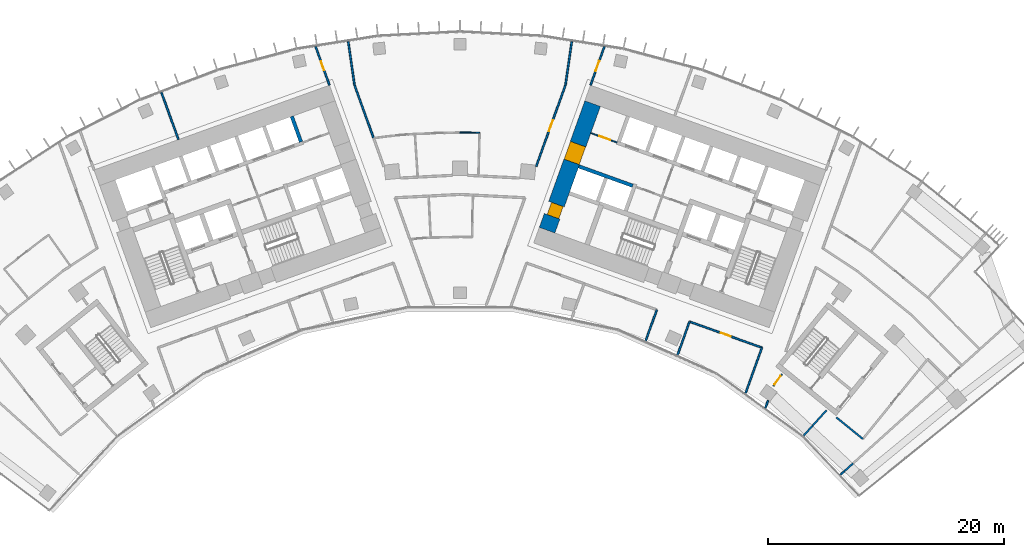
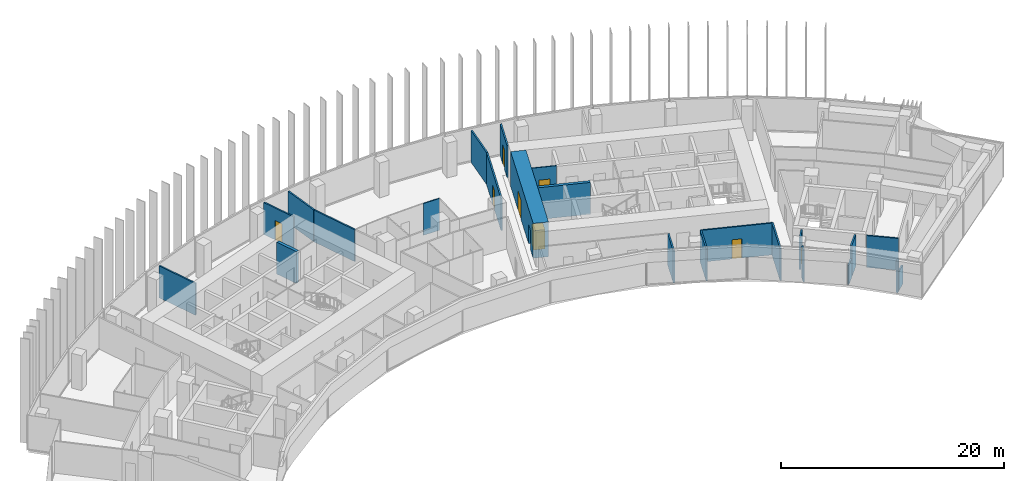
# One storey, part 18 of 23: 23 walls, 8 doors, 8 openings.
"""IFC4 building model written with IfcOpenShell, lengths in metres."""

from ifc_helpers import new_model, si_unit, direction, frame, frame_2d, origin, place, context, subcontext, project, spatial, rectangle, extrude, material, layer, layer_set, type_object, element, fill, save


model = new_model("IFC4")

# Units and contexts
model_context = context("Model", 3, precision=1e-05, world=origin(), true_north=direction((0.0, 1.0)))
body_context = subcontext(model_context, "Body", "Model", "MODEL_VIEW")
ifc_project = project(units=[si_unit("LENGTHUNIT", "METRE"), si_unit("AREAUNIT", "SQUARE_METRE"), si_unit("VOLUMEUNIT", "CUBIC_METRE"), si_unit("PLANEANGLEUNIT", "RADIAN"), si_unit("MASSUNIT", "GRAM", prefix="KILO")], contexts=[model_context])

# Site, building, storey
site_placement = place(None, origin())
site = spatial("IfcSite", under=ifc_project, at=site_placement, CompositionType="ELEMENT")
building_placement = place(site_placement, origin())
building = spatial("IfcBuilding", under=site, at=building_placement, Name="Stone Belt Terrace Tower", CompositionType="ELEMENT")
storey_placement = place(building_placement, frame((0.0, 0.0, 166.800048828125)))
storey = spatial("IfcBuildingStorey", under=building, at=storey_placement, Name="L40", CompositionType="ELEMENT", Elevation=166.800048828125)

# Wall, opening, door
ifc_material_1 = material(Name="Plasterboard partition")
ifc_layer_1 = layer(ifc_material_1, 0.10009765625)
ifc_layer_set_1 = layer_set([ifc_layer_1], Name="Core partition 100")
wall_type_1 = type_object("IfcWallType", Name="Core partition 100", PredefinedType="PARTITIONING", material=ifc_layer_set_1)
wall_1_placement = place(storey_placement, frame((13.29638671875, 57.17529296875, 0.0), z_axis=(0.0, 0.0, 1.0), x_axis=(-0.940904627055, 0.338671644496, 0.0)))
wall_1 = element("IfcWall", 1, at=wall_1_placement, inside=storey, type_object=wall_type_1, Name="Core B wall", PredefinedType="PARTITIONING", context=body_context, shape_type="SweptSolid", body=[
    extrude(rectangle(XDim=2.35009765625, YDim=0.10009765625, at=frame_2d((1.175048828125, 0.0))), origin(), (0.0, 0.0, 1.0), 3.47998046875),
])
opening_1_placement = place(wall_1_placement, frame((0.60009765625, 0.0, 0.0)))
opening_1 = element("IfcOpeningElement", 2, at=opening_1_placement, cuts=wall_1, Name="Opening L40-C14", PredefinedType="OPENING", context=body_context, shape_type="SweptSolid", body=[
    extrude(rectangle(XDim=1.0, YDim=2.10009765625, at=frame_2d((0.5, 1.050048828125))), frame((0.0, 0.06005859375, 0.0), z_axis=(0.0, -1.0, 0.0), x_axis=(1.0, 0.0, 0.0)), (0.0, 0.0, 1.0), 0.1201171875),
])
ifc_material_2 = material(Name="Timber door leaf", Category="wood")
door_type_1 = type_object("IfcDoorType", Name="Core room door 1000", OperationType="SINGLE_SWING_LEFT", PredefinedType="DOOR", material=ifc_material_2)
door_1_placement = place(opening_1_placement, origin())
door_1 = element("IfcDoor", 3, at=door_1_placement, inside=storey, type_object=door_type_1, Name="Door to IT equipment room core B", OperationType="SINGLE_SWING_RIGHT", OverallHeight=2.10009765625, OverallWidth=1.0, PredefinedType="DOOR", context=body_context, shape_type="SweptSolid", body=[
    extrude(rectangle(XDim=1.0, YDim=2.10009765625, at=frame_2d((0.5, 1.050048828125))), frame((0.0, 0.02490234375, 0.0), z_axis=(0.0, -1.0, 0.0), x_axis=(1.0, 0.0, 0.0)), (0.0, 0.0, 1.0), 0.050048828125),
])
fill(opening_1, door_1)

# Wall, openings, doors
ifc_material_3 = material(Name="Concrete B80", Category="concrete")
ifc_layer_2 = layer(ifc_material_3, 1.39990234375)
ifc_layer_set_2 = layer_set([ifc_layer_2], Name="Core wall 1400 B80")
wall_type_2 = type_object("IfcWallType", Name="Core wall 1400 B80", PredefinedType="SHEAR", material=ifc_layer_set_2)
wall_2_placement = place(storey_placement, frame((7.379150390625, 49.73974609375, 0.0), z_axis=(0.0, 0.0, 1.0), x_axis=(0.338625431531, 0.940921259788, 0.0)))
wall_2 = element("IfcWall", 4, at=wall_2_placement, inside=storey, type_object=wall_type_2, Name="Core B wall end_a L40", PredefinedType="SHEAR", context=body_context, shape_type="SweptSolid", body=[
    extrude(rectangle(XDim=11.400146484375, YDim=1.39990234375, at=frame_2d((5.7001953125, 0.0))), origin(), (0.0, 0.0, 1.0), 3.800048828125),
])
opening_2_placement = place(wall_2_placement, frame((6.14990234375, 0.0, 0.0)))
opening_2 = element("IfcOpeningElement", 5, at=opening_2_placement, cuts=wall_2, Name="Opening L40-C20", PredefinedType="OPENING", context=body_context, shape_type="SweptSolid", body=[
    extrude(rectangle(XDim=1.60009765625, YDim=2.10009765625, at=frame_2d((0.800048828125, 1.050048828125))), frame((0.0, 0.7099609375, 0.0), z_axis=(0.0, -1.0, 0.0), x_axis=(1.0, 0.0, 0.0)), (0.0, 0.0, 1.0), 1.419921875),
])
opening_3_placement = place(wall_2_placement, frame((1.25, 0.0, 0.0)))
opening_3 = element("IfcOpeningElement", 6, at=opening_3_placement, cuts=wall_2, Name="Opening L40-C26", PredefinedType="OPENING", context=body_context, shape_type="SweptSolid", body=[
    extrude(rectangle(XDim=1.10009765625, YDim=2.10009765625, at=frame_2d((0.550048828125, 1.050048828125))), frame((0.0, 0.7099609375, 0.0), z_axis=(0.0, -1.0, 0.0), x_axis=(1.0, 0.0, 0.0)), (0.0, 0.0, 1.0), 1.419921875),
])
door_type_2 = type_object("IfcDoorType", Name="Core room door 1100", OperationType="SINGLE_SWING_LEFT", PredefinedType="DOOR", material=ifc_material_2)
door_2_placement = place(opening_3_placement, origin())
door_2 = element("IfcDoor", 7, at=door_2_placement, inside=storey, type_object=door_type_2, Name="Door to Electrical riser room core B", OperationType="SINGLE_SWING_RIGHT", OverallHeight=2.10009765625, OverallWidth=1.10009765625, PredefinedType="DOOR", context=body_context, shape_type="SweptSolid", body=[
    extrude(rectangle(XDim=1.10009765625, YDim=2.10009765625, at=frame_2d((0.550048828125, 1.050048828125))), frame((0.0, 0.44482421875, 0.0), z_axis=(0.0, -1.0, 0.0), x_axis=(1.0, 0.0, 0.0)), (0.0, 0.0, 1.0), 1.050048828125),
])
fill(opening_3, door_2)
ifc_material_4 = material(Name="Glazed aluminium door leaf", Category="aluminium")
door_type_3 = type_object("IfcDoorType", Name="Lift lobby entrance door 1600", OperationType="DOUBLE_DOOR_SINGLE_SWING", PredefinedType="DOOR", material=ifc_material_4)
door_3_placement = place(opening_2_placement, origin())
door_3 = element("IfcDoor", 8, at=door_3_placement, inside=storey, type_object=door_type_3, Name="Lift lobby entrance door core B", OperationType="DOUBLE_DOOR_SINGLE_SWING", OverallHeight=2.10009765625, OverallWidth=1.60009765625, PredefinedType="DOOR", context=body_context, shape_type="SweptSolid", body=[
    extrude(rectangle(XDim=1.60009765625, YDim=2.10009765625, at=frame_2d((0.800048828125, 1.050048828125))), frame((0.0, 0.68017578125, 0.0), z_axis=(0.0, -1.0, 0.0), x_axis=(1.0, 0.0, 0.0)), (0.0, 0.0, 1.0), 1.360107421875),
])
fill(opening_2, door_3)

# Walls
ifc_layer_3 = layer(ifc_material_3, 0.300048828125)
ifc_layer_set_3 = layer_set([ifc_layer_3], Name="Lift shaft wall 300")
wall_type_3 = type_object("IfcWallType", Name="Lift shaft wall 300", PredefinedType="SHEAR", material=ifc_layer_set_3)
wall_3_placement = place(storey_placement, frame((-13.471435546875, 57.218505859375, 0.0), z_axis=(0.0, 0.0, 1.0), x_axis=(-0.338587917, 0.940934759939, 0.0)))
element("IfcWall", 9, at=wall_3_placement, inside=storey, type_object=wall_type_3, Name="Core A wall", PredefinedType="SHEAR", context=body_context, shape_type="SweptSolid", body=[
    extrude(rectangle(XDim=2.300048828125, YDim=0.300048828125, at=frame_2d((1.14990234375, 0.0))), origin(), (0.0, 0.0, 1.0), 3.47998046875),
])
wall_4_placement = place(storey_placement, frame((14.6328125, 53.506103515625, 0.0), z_axis=(0.0, 0.0, 1.0), x_axis=(-0.940931684323, 0.338596464007, 0.0)))
element("IfcWall", 10, at=wall_4_placement, inside=storey, type_object=wall_type_3, Name="Core B wall", PredefinedType="SHEAR", context=body_context, shape_type="SweptSolid", body=[
    extrude(rectangle(XDim=4.849609375, YDim=0.300048828125, at=frame_2d((2.4248046875, 0.0))), origin(), (0.0, 0.0, 1.0), 3.47998046875),
])
ifc_material_5 = material(Name="Gypsum board partition")
ifc_layer_4 = layer(ifc_material_5, 0.10009765625)
ifc_layer_set_4 = layer_set([ifc_layer_4], Name="PARTITION 100")
wall_type_4 = type_object("IfcWallType", Name="PARTITION 100", PredefinedType="PARTITIONING", material=ifc_layer_set_4)
wall_5_placement = place(storey_placement, frame((1.659912109375, 58.0009765625, 0.0), z_axis=(0.0, 0.0, 1.0), x_axis=(-0.999896136152, 0.014412387313, 0.0)))
element("IfcWall", 11, at=wall_5_placement, inside=storey, type_object=wall_type_4, Name="L40/wall/i099", PredefinedType="PARTITIONING", context=body_context, shape_type="SweptSolid", body=[
    extrude(rectangle(XDim=1.66015625, YDim=0.10009765625, at=frame_2d((0.830078125, 0.0))), origin(), (0.0, 0.0, 1.0), 3.47998046875),
])

# Wall, opening, door
ifc_layer_5 = layer(ifc_material_5, 0.14990234375)
ifc_layer_set_5 = layer_set([ifc_layer_5], Name="PARTITION 150 EI 60")
wall_type_5 = type_object("IfcWallType", Name="PARTITION 150 EI 60", PredefinedType="PARTITIONING", material=ifc_layer_set_5)
wall_6_placement = place(storey_placement, frame((-11.054931640625, 62.02099609375, 0.0), z_axis=(0.0, 0.0, 1.0), x_axis=(-0.338942963923, 0.940806923448, 0.0)))
wall_6 = element("IfcWall", 12, at=wall_6_placement, inside=storey, type_object=wall_type_5, Name="L40/wall/i008", PredefinedType="PARTITIONING", context=body_context, shape_type="SweptSolid", body=[
    extrude(rectangle(XDim=3.481201171875, YDim=0.14990234375, at=frame_2d((1.74072265625, 0.0))), origin(), (0.0, 0.0, 1.0), 3.47998046875),
])
opening_4_placement = place(wall_6_placement, frame((1.340576171875, 0.0, 0.0)))
opening_4 = element("IfcOpeningElement", 13, at=opening_4_placement, cuts=wall_6, Name="Opening D-C2-06", PredefinedType="OPENING", context=body_context, shape_type="SweptSolid", body=[
    extrude(rectangle(XDim=0.800048828125, YDim=2.10009765625, at=frame_2d((0.39990234375, 1.050048828125))), frame((0.0, 0.0849609375, 0.0), z_axis=(0.0, -1.0, 0.0), x_axis=(1.0, 0.0, 0.0)), (0.0, 0.0, 1.0), 0.169921875),
])
door_type_4 = type_object("IfcDoorType", Name="STORE DOOR 800 X 2100", OperationType="NOTDEFINED", PredefinedType="DOOR", material=ifc_material_2)
door_4_placement = place(opening_4_placement, origin())
door_4 = element("IfcDoor", 14, at=door_4_placement, inside=storey, type_object=door_type_4, Name="L40/door/i06", OperationType="SINGLE_SWING_RIGHT", OverallHeight=2.10009765625, OverallWidth=0.800048828125, PredefinedType="DOOR", context=body_context, shape_type="SweptSolid", body=[
    extrude(rectangle(XDim=0.800048828125, YDim=2.10009765625, at=frame_2d((0.39990234375, 1.050048828125))), frame((0.0, 0.02490234375, 0.0), z_axis=(0.0, -1.0, 0.0), x_axis=(1.0, 0.0, 0.0)), (0.0, 0.0, 1.0), 0.050048828125),
])
fill(opening_4, door_4)

# Walls
wall_7_placement = place(storey_placement, frame((-9.47021484375, 65.736083984375, 0.0), z_axis=(0.0, 0.0, 1.0), x_axis=(0.14267653425, -0.989769370396, 0.0)))
element("IfcWall", 15, at=wall_7_placement, inside=storey, type_object=wall_type_5, Name="L40/wall/i011", PredefinedType="PARTITIONING", context=body_context, shape_type="SweptSolid", body=[
    extrude(rectangle(XDim=3.730224609375, YDim=0.14990234375, at=frame_2d((1.865234375, 0.0))), origin(), (0.0, 0.0, 1.0), 3.47998046875),
])
wall_8_placement = place(storey_placement, frame((-8.93798828125, 62.04296875, 0.0), z_axis=(0.0, 0.0, 1.0), x_axis=(0.338681584055, -0.940901049326, 0.0)))
element("IfcWall", 16, at=wall_8_placement, inside=storey, type_object=wall_type_5, Name="L40/wall/i012", PredefinedType="PARTITIONING", context=body_context, shape_type="SweptSolid", body=[
    extrude(rectangle(XDim=4.792236328125, YDim=0.14990234375, at=frame_2d((2.39599609375, 0.0))), origin(), (0.0, 0.0, 1.0), 3.47998046875),
])
wall_9_placement = place(storey_placement, frame((-25.2978515625, 61.422119140625, 0.0), z_axis=(0.0, 0.0, 1.0), x_axis=(0.33871337989, -0.940889603664, 0.0)))
element("IfcWall", 17, at=wall_9_placement, inside=storey, type_object=wall_type_5, Name="L40/wall/i021", PredefinedType="PARTITIONING", context=body_context, shape_type="SweptSolid", body=[
    extrude(rectangle(XDim=4.259765625, YDim=0.14990234375, at=frame_2d((2.1298828125, 0.0))), origin(), (0.0, 0.0, 1.0), 3.47998046875),
])

# Wall, opening, door
wall_10_placement = place(storey_placement, frame((12.23486328125, 65.296142578125, 0.0), z_axis=(0.0, 0.0, 1.0), x_axis=(-0.338942963923, -0.940806923448, 0.0)))
wall_10 = element("IfcWall", 18, at=wall_10_placement, inside=storey, type_object=wall_type_5, Name="L40/wall/i023", PredefinedType="PARTITIONING", context=body_context, shape_type="SweptSolid", body=[
    extrude(rectangle(XDim=3.481201171875, YDim=0.14990234375, at=frame_2d((1.74072265625, 0.0))), origin(), (0.0, 0.0, 1.0), 3.47998046875),
])
opening_5_placement = place(wall_10_placement, frame((1.29052734375, 0.0, 0.0)))
opening_5 = element("IfcOpeningElement", 19, at=opening_5_placement, cuts=wall_10, Name="Opening D-C2-10", PredefinedType="OPENING", context=body_context, shape_type="SweptSolid", body=[
    extrude(rectangle(XDim=0.89990234375, YDim=2.10009765625, at=frame_2d((0.449951171875, 1.050048828125))), frame((0.0, 0.0849609375, 0.0), z_axis=(0.0, -1.0, 0.0), x_axis=(1.0, 0.0, 0.0)), (0.0, 0.0, 1.0), 0.169921875),
])
door_type_5 = type_object("IfcDoorType", Name="OFFICE DOOR 900 X 2100", OperationType="NOTDEFINED", PredefinedType="DOOR", material=ifc_material_2)
door_5_placement = place(opening_5_placement, origin())
door_5 = element("IfcDoor", 20, at=door_5_placement, inside=storey, type_object=door_type_5, Name="L40/door/i10", OperationType="SINGLE_SWING_RIGHT", OverallHeight=2.10009765625, OverallWidth=0.89990234375, PredefinedType="DOOR", context=body_context, shape_type="SweptSolid", body=[
    extrude(rectangle(XDim=0.89990234375, YDim=2.10009765625, at=frame_2d((0.449951171875, 1.050048828125))), frame((0.0, 0.02490234375, 0.0), z_axis=(0.0, -1.0, 0.0), x_axis=(1.0, 0.0, 0.0)), (0.0, 0.0, 1.0), 0.050048828125),
])
fill(opening_5, door_5)

wall_11_placement = place(storey_placement, frame((6.4541015625, 55.140625, 0.0), z_axis=(0.0, 0.0, 1.0), x_axis=(0.338603971116, 0.940928982838, 0.0)))
wall_11 = element("IfcWall", 21, at=wall_11_placement, inside=storey, type_object=wall_type_5, Name="L40/wall/i025", PredefinedType="PARTITIONING", context=body_context, shape_type="SweptSolid", body=[
    extrude(rectangle(XDim=7.335693359375, YDim=0.14990234375, at=frame_2d((3.66796875, 0.0))), origin(), (0.0, 0.0, 1.0), 3.47998046875),
])
opening_6_placement = place(wall_11_placement, frame((3.16796875, 0.0, 0.0)))
opening_6 = element("IfcOpeningElement", 22, at=opening_6_placement, cuts=wall_11, Name="Opening D-C2-30", PredefinedType="OPENING", context=body_context, shape_type="SweptSolid", body=[
    extrude(rectangle(XDim=1.0, YDim=2.10009765625, at=frame_2d((0.5, 1.050048828125))), frame((0.0, 0.0849609375, 0.0), z_axis=(0.0, -1.0, 0.0), x_axis=(1.0, 0.0, 0.0)), (0.0, 0.0, 1.0), 0.169921875),
])
ifc_material_6 = material(Name="Timber fire door leaf", Category="wood")
door_type_6 = type_object("IfcDoorType", Name="TENANCY ENTRANCE DOOR 1000 X 2100", OperationType="NOTDEFINED", PredefinedType="DOOR", material=ifc_material_6)
door_6_placement = place(opening_6_placement, origin())
door_6 = element("IfcDoor", 23, at=door_6_placement, inside=storey, type_object=door_type_6, Name="L40/door/i30", OperationType="SINGLE_SWING_RIGHT", OverallHeight=2.10009765625, OverallWidth=1.0, PredefinedType="DOOR", context=body_context, shape_type="SweptSolid", body=[
    extrude(rectangle(XDim=1.0, YDim=2.10009765625, at=frame_2d((0.5, 1.050048828125))), frame((0.0, 0.02490234375, 0.0), z_axis=(0.0, -1.0, 0.0), x_axis=(1.0, 0.0, 0.0)), (0.0, 0.0, 1.0), 0.050048828125),
])
fill(opening_6, door_6)

# Walls
wall_12_placement = place(storey_placement, frame((8.93798828125, 62.0439453125, 0.0), z_axis=(0.0, 0.0, 1.0), x_axis=(0.14267653425, 0.989769370396, 0.0)))
element("IfcWall", 24, at=wall_12_placement, inside=storey, type_object=wall_type_5, Name="L40/wall/i026", PredefinedType="PARTITIONING", context=body_context, shape_type="SweptSolid", body=[
    extrude(rectangle(XDim=3.730224609375, YDim=0.14990234375, at=frame_2d((1.865234375, 0.0))), origin(), (0.0, 0.0, 1.0), 3.47998046875),
])
wall_13_placement = place(storey_placement, frame((24.18603515625, 35.902099609375, 0.0), z_axis=(0.0, 0.0, 1.0), x_axis=(0.338545933013, 0.940949866486, 0.0)))
element("IfcWall", 25, at=wall_13_placement, inside=storey, type_object=wall_type_5, Name="L40/wall/i027", PredefinedType="PARTITIONING", context=body_context, shape_type="SweptSolid", body=[
    extrude(rectangle(XDim=4.135009765625, YDim=0.14990234375, at=frame_2d((2.0673828125, 0.0))), origin(), (0.0, 0.0, 1.0), 3.47998046875),
])

# Wall, opening, door
wall_14_placement = place(storey_placement, frame((27.282958984375, 37.552001953125, 0.0), z_axis=(0.0, 0.0, 1.0), x_axis=(-0.587851817093, -0.808968628032, 0.0)))
wall_14 = element("IfcWall", 26, at=wall_14_placement, inside=storey, type_object=wall_type_5, Name="L40/wall/i030", PredefinedType="PARTITIONING", context=body_context, shape_type="SweptSolid", body=[
    extrude(rectangle(XDim=1.270751953125, YDim=0.14990234375, at=frame_2d((0.63525390625, 0.0))), origin(), (0.0, 0.0, 1.0), 3.47998046875),
])
opening_7_placement = place(wall_14_placement, frame((0.185302734375, 0.0, 0.0)))
opening_7 = element("IfcOpeningElement", 27, at=opening_7_placement, cuts=wall_14, Name="Opening D-C2-21", PredefinedType="OPENING", context=body_context, shape_type="SweptSolid", body=[
    extrude(rectangle(XDim=0.89990234375, YDim=2.10009765625, at=frame_2d((0.449951171875, 1.050048828125))), frame((0.0, 0.0849609375, 0.0), z_axis=(0.0, -1.0, 0.0), x_axis=(1.0, 0.0, 0.0)), (0.0, 0.0, 1.0), 0.169921875),
])
door_type_7 = type_object("IfcDoorType", Name="TENANCY ENTRANCE DOOR 900 X 2100", OperationType="NOTDEFINED", PredefinedType="DOOR", material=ifc_material_6)
door_7_placement = place(opening_7_placement, origin())
door_7 = element("IfcDoor", 28, at=door_7_placement, inside=storey, type_object=door_type_7, Name="L40/door/i21", OperationType="SINGLE_SWING_RIGHT", OverallHeight=2.10009765625, OverallWidth=0.89990234375, PredefinedType="DOOR", context=body_context, shape_type="SweptSolid", body=[
    extrude(rectangle(XDim=0.89990234375, YDim=2.10009765625, at=frame_2d((0.449951171875, 1.050048828125))), frame((0.0, 0.02490234375, 0.0), z_axis=(0.0, -1.0, 0.0), x_axis=(1.0, 0.0, 0.0)), (0.0, 0.0, 1.0), 0.050048828125),
])
fill(opening_7, door_7)

# Walls
wall_15_placement = place(storey_placement, frame((26.101318359375, 35.318115234375, 0.0), z_axis=(0.0, 0.0, 1.0), x_axis=(-0.339176971689, -0.940722584972, 0.0)))
element("IfcWall", 29, at=wall_15_placement, inside=storey, type_object=wall_type_5, Name="L40/wall/i031", PredefinedType="PARTITIONING", context=body_context, shape_type="SweptSolid", body=[
    extrude(rectangle(XDim=0.68017578125, YDim=0.14990234375, at=frame_2d((0.340087890625, 0.0))), origin(), (0.0, 0.0, 1.0), 3.47998046875),
])
wall_16_placement = place(storey_placement, frame((15.725341796875, 40.3544921875, 0.0), z_axis=(0.0, 0.0, 1.0), x_axis=(0.338592964113, 0.94093294376, 0.0)))
element("IfcWall", 30, at=wall_16_placement, inside=storey, type_object=wall_type_5, Name="L40/wall/i035", PredefinedType="PARTITIONING", context=body_context, shape_type="SweptSolid", body=[
    extrude(rectangle(XDim=2.802001953125, YDim=0.14990234375, at=frame_2d((1.40087890625, 0.0))), origin(), (0.0, 0.0, 1.0), 3.47998046875),
])

# Wall, opening, door
wall_17_placement = place(storey_placement, frame((25.5830078125, 39.787109375, 0.0), z_axis=(0.0, 0.0, 1.0), x_axis=(-0.940941833502, 0.338568258948, 0.0)))
wall_17 = element("IfcWall", 31, at=wall_17_placement, inside=storey, type_object=wall_type_5, Name="L40/wall/i037", PredefinedType="PARTITIONING", context=body_context, shape_type="SweptSolid", body=[
    extrude(rectangle(XDim=6.51806640625, YDim=0.14990234375, at=frame_2d((3.259033203125, 0.0))), origin(), (0.0, 0.0, 1.0), 3.47998046875),
])
opening_8_placement = place(wall_17_placement, frame((2.80908203125, 0.0, 0.0)))
opening_8 = element("IfcOpeningElement", 32, at=opening_8_placement, cuts=wall_17, Name="Opening D-C2-09", PredefinedType="OPENING", context=body_context, shape_type="SweptSolid", body=[
    extrude(rectangle(XDim=0.89990234375, YDim=2.10009765625, at=frame_2d((0.449951171875, 1.050048828125))), frame((0.0, 0.0849609375, 0.0), z_axis=(0.0, -1.0, 0.0), x_axis=(1.0, 0.0, 0.0)), (0.0, 0.0, 1.0), 0.169921875),
])
door_8_placement = place(opening_8_placement, origin())
door_8 = element("IfcDoor", 33, at=door_8_placement, inside=storey, type_object=door_type_5, Name="L40/door/i09", OperationType="SINGLE_SWING_RIGHT", OverallHeight=2.10009765625, OverallWidth=0.89990234375, PredefinedType="DOOR", context=body_context, shape_type="SweptSolid", body=[
    extrude(rectangle(XDim=0.89990234375, YDim=2.10009765625, at=frame_2d((0.449951171875, 1.050048828125))), frame((0.0, 0.02490234375, 0.0), z_axis=(0.0, -1.0, 0.0), x_axis=(1.0, 0.0, 0.0)), (0.0, 0.0, 1.0), 0.050048828125),
])
fill(opening_8, door_8)

# Walls
wall_18_placement = place(storey_placement, frame((19.447021484375, 41.992919921875, 0.0), z_axis=(0.0, 0.0, 1.0), x_axis=(-0.338702285255, -0.940893597578, 0.0)))
element("IfcWall", 34, at=wall_18_placement, inside=storey, type_object=wall_type_5, Name="L40/wall/i038", PredefinedType="PARTITIONING", context=body_context, shape_type="SweptSolid", body=[
    extrude(rectangle(XDim=3.018798828125, YDim=0.14990234375, at=frame_2d((1.50927734375, 0.0))), origin(), (0.0, 0.0, 1.0), 3.47998046875),
])
wall_19_placement = place(storey_placement, frame((32.23681640625, 29.026123046875, 0.0), z_axis=(0.0, 0.0, 1.0), x_axis=(0.743060992071, 0.669223701061, 0.0)))
element("IfcWall", 35, at=wall_19_placement, inside=storey, type_object=wall_type_5, Name="L40/wall/i062-1", PredefinedType="PARTITIONING", context=body_context, shape_type="SweptSolid", body=[
    extrude(rectangle(XDim=0.41650390625, YDim=0.14990234375, at=frame_2d((0.208251953125, 0.0))), origin(), (0.0, 0.0, 1.0), 3.47998046875),
])
wall_20_placement = place(storey_placement, frame((32.54638671875, 29.304931640625, 0.0), z_axis=(0.0, 0.0, 1.0), x_axis=(0.74321061234, 0.669057535422, 0.0)))
element("IfcWall", 36, at=wall_20_placement, inside=storey, type_object=wall_type_5, Name="L40/wall/i062-2", PredefinedType="PARTITIONING", context=body_context, shape_type="SweptSolid", body=[
    extrude(rectangle(XDim=1.017333984375, YDim=0.14990234375, at=frame_2d((0.5087890625, 0.0))), origin(), (0.0, 0.0, 1.0), 2.079833984375),
])
wall_21_placement = place(storey_placement, frame((34.133056640625, 32.055908203125, 0.0), z_axis=(0.0, 0.0, 1.0), x_axis=(-0.776369956068, 0.630277471686, 0.0)))
element("IfcWall", 37, at=wall_21_placement, inside=storey, type_object=wall_type_5, Name="L40/wall/i072", PredefinedType="PARTITIONING", context=body_context, shape_type="SweptSolid", body=[
    extrude(rectangle(XDim=2.8876953125, YDim=0.14990234375, at=frame_2d((1.44384765625, 0.0))), origin(), (0.0, 0.0, 1.0), 3.47998046875),
])
wall_22_placement = place(storey_placement, frame((31.054931640625, 34.489990234375, 0.0), z_axis=(0.0, 0.0, 1.0), x_axis=(-0.669139166898, -0.743137117444, 0.0)))
element("IfcWall", 38, at=wall_22_placement, inside=storey, type_object=wall_type_5, Name="L40/wall/i073-1", PredefinedType="PARTITIONING", context=body_context, shape_type="SweptSolid", body=[
    extrude(rectangle(XDim=1.7783203125, YDim=0.14990234375, at=frame_2d((0.88916015625, 0.0))), origin(), (0.0, 0.0, 1.0), 3.47998046875),
])
wall_23_placement = place(storey_placement, frame((29.864990234375, 33.16845703125, 0.0), z_axis=(0.0, 0.0, 1.0), x_axis=(-0.66905999582, -0.743208397419, 0.0)))
element("IfcWall", 39, at=wall_23_placement, inside=storey, type_object=wall_type_5, Name="L40/wall/i073-2", PredefinedType="PARTITIONING", context=body_context, shape_type="SweptSolid", body=[
    extrude(rectangle(XDim=1.132568359375, YDim=0.14990234375, at=frame_2d((0.56640625, 0.0))), origin(), (0.0, 0.0, 1.0), 2.079833984375),
])

save(model, "model.ifc")
